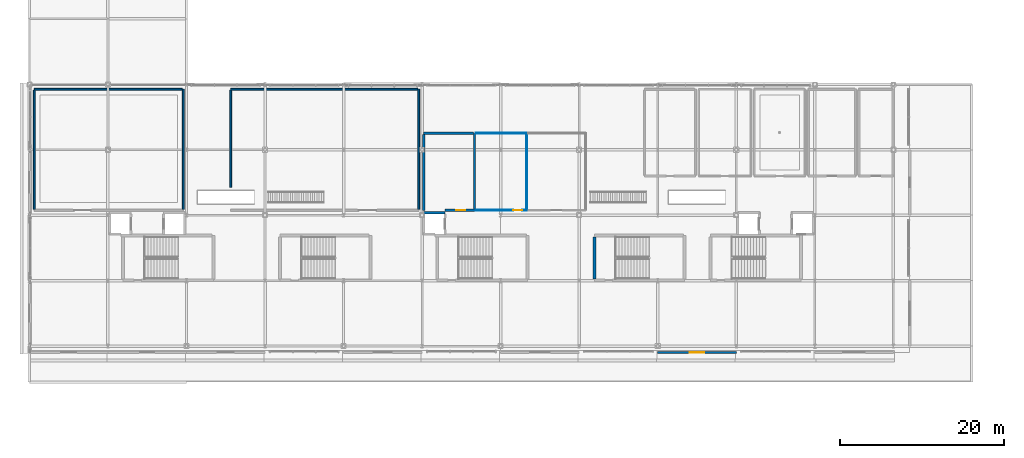
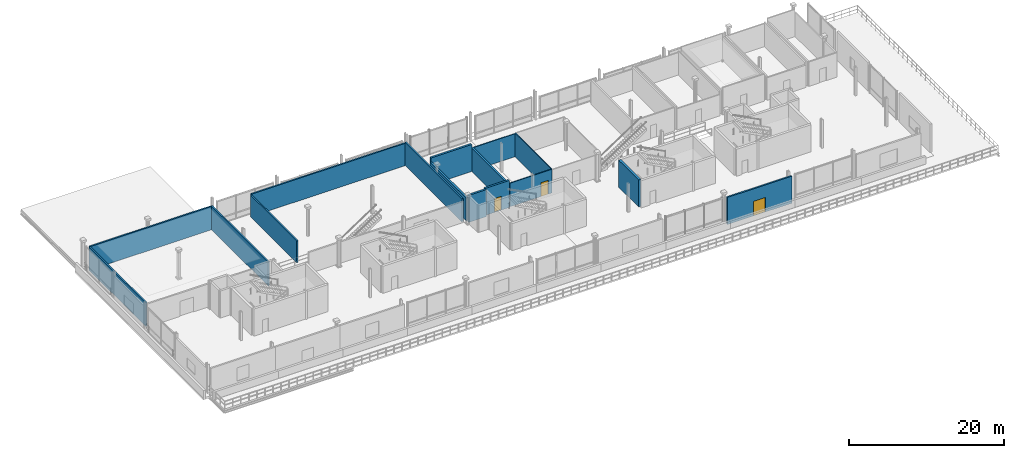
# One storey, part 24 of 36: 16 walls, 3 doors, 3 openings.
"""IFC4 building model written with IfcOpenShell, lengths in metres."""

import ifcopenshell
import ifcopenshell.guid

model = None  # the IFC model being written
_history = None  # IfcOwnerHistory: only IFC2X3 demands one
_inside = {}  # id of a spatial element -> (the spatial element, [elements in it])
_under = {}  # id of a project, library or spatial element -> (it, [spatial elements below it])
_declared = {}  # id of a project -> (the project, [libraries it declares])
_typed = {}  # id of a type object -> (the type object, [elements of that type])
_made_of = {}  # id of a material, layer set ... -> (it, [elements and type objects made of it])


def new_model(schema):
    """Start an empty IFC model of exactly this schema.

    Asked for "IFC4X3", IfcOpenShell would pick the latest addendum, in which some entities
    have other attributes; the version numbers below select the first issue.
    IFC2X3 requires an IfcOwnerHistory on every rooted entity: one is made here for all.
    """
    global model, _history
    if schema == "IFC4X3":
        model = ifcopenshell.file(schema_version=(4, 3, 0, 0))
    else:
        model = ifcopenshell.file(schema=schema)
    _inside.clear()
    _under.clear()
    _declared.clear()
    _typed.clear()
    _made_of.clear()
    _history = None
    if model.schema == "IFC2X3":
        org = make("IfcOrganization", Name="unknown")
        user = make(
            "IfcPersonAndOrganization",
            ThePerson=make("IfcPerson", FamilyName="unknown"),
            TheOrganization=org,
        )
        app = make(
            "IfcApplication",
            ApplicationDeveloper=org,
            Version="unknown",
            ApplicationFullName="unknown",
            ApplicationIdentifier="unknown",
        )
        _history = make(
            "IfcOwnerHistory",
            OwningUser=user,
            OwningApplication=app,
            ChangeAction="ADDED",
            CreationDate=0,
        )
    return model


def make(cls, **values):
    """One entity of the class cls with the attributes given. An attribute that is None is left unset."""
    return model.create_entity(
        cls, **{name: value for name, value in values.items() if value is not None}
    )


def rooted(cls, **values):
    """An entity with a GlobalId (a new one), such as an element, a storey or a relation."""
    return make(cls, GlobalId=ifcopenshell.guid.new(), OwnerHistory=_history, **values)


def si_unit(unit_type, name, prefix=None):
    """IfcSIUnit, for example si_unit("LENGTHUNIT", "METRE", prefix="MILLI")."""
    return make("IfcSIUnit", UnitType=unit_type, Prefix=prefix, Name=name)


def assignment(units):
    """IfcUnitAssignment: the units of a project."""
    return None if units is None else make("IfcUnitAssignment", Units=units)


def point(xyz):
    """IfcCartesianPoint."""
    return None if xyz is None else make("IfcCartesianPoint", Coordinates=xyz)


def direction(xyz):
    """IfcDirection."""
    return None if xyz is None else make("IfcDirection", DirectionRatios=xyz)


def frame(location, z_axis=None, x_axis=None):
    """IfcAxis2Placement3D, a coordinate frame: its origin and axes. An axis left out is left unset."""
    return make(
        "IfcAxis2Placement3D",
        Location=point(location),
        Axis=direction(z_axis),
        RefDirection=direction(x_axis),
    )


def frame_2d(location, x_axis=None):
    """IfcAxis2Placement2D, a coordinate frame in the plane: its origin and x axis."""
    return make(
        "IfcAxis2Placement2D", Location=point(location), RefDirection=direction(x_axis)
    )


def origin():
    """The frame at (0, 0, 0) with its axes left unset."""
    return frame((0.0, 0.0, 0.0))


def place(relative_to, where):
    """IfcLocalPlacement: puts the frame where relative to a parent placement (None: the world)."""
    return make(
        "IfcLocalPlacement", PlacementRelTo=relative_to, RelativePlacement=where
    )


def context(
    kind, dimensions, precision=None, world=None, true_north=None, identifier=None
):
    """IfcGeometricRepresentationContext, for example the 3D "Model" context."""
    return make(
        "IfcGeometricRepresentationContext",
        ContextIdentifier=identifier,
        ContextType=kind,
        CoordinateSpaceDimension=dimensions,
        Precision=precision,
        WorldCoordinateSystem=world,
        TrueNorth=true_north,
    )


def subcontext(parent, identifier, kind, view, scale=None):
    """IfcGeometricRepresentationSubContext, for example "Body" below "Model"."""
    return make(
        "IfcGeometricRepresentationSubContext",
        ContextIdentifier=identifier,
        ContextType=kind,
        ParentContext=parent,
        TargetScale=scale,
        TargetView=view,
    )


def project(units=None, contexts=None):
    """IfcProject with its units and contexts."""
    return rooted(
        "IfcProject",
        Name="project",
        RepresentationContexts=contexts,
        UnitsInContext=assignment(units),
    )


def spatial(cls, under=None, at=None, **own):
    """A site, building, storey or space (cls), placed at a placement, below another one or the project."""
    s = rooted(cls, ObjectPlacement=at, **own)
    if under is not None:
        _under.setdefault(under.id(), (under, []))[1].append(s)
    return s


def profile(cls, at=None, kind="AREA", **sizes):
    """A parametric profile (cls). Its sizes go by their IFC names, for example OverallWidth=200.0."""
    return make(cls, ProfileType=kind, Position=at, **sizes)


def rectangle(**sizes):
    """IfcRectangleProfileDef."""
    return profile("IfcRectangleProfileDef", **sizes)


def extrude(swept, where, along, depth):
    """IfcExtrudedAreaSolid: the profile swept, set in the frame where, extruded along a direction by depth."""
    return make(
        "IfcExtrudedAreaSolid",
        SweptArea=swept,
        Position=where,
        ExtrudedDirection=direction(along),
        Depth=depth,
    )


def shape(context_of_items, identifier, shape_type, items):
    """IfcShapeRepresentation: the items that make up one representation, for example the "Body"."""
    return make(
        "IfcShapeRepresentation",
        ContextOfItems=context_of_items,
        RepresentationIdentifier=identifier,
        RepresentationType=shape_type,
        Items=items,
    )


def material(Name=None, Category=None):
    """IfcMaterial."""
    return make("IfcMaterial", Name=Name, Category=Category)


def layer(
    of_material, thickness, ventilated=None, Name=None, Category=None, Priority=None
):
    """IfcMaterialLayer: one layer of a wall or slab, of a material (None: an air gap)."""
    return make(
        "IfcMaterialLayer",
        Material=of_material,
        LayerThickness=thickness,
        IsVentilated=ventilated,
        Name=Name,
        Category=Category,
        Priority=Priority,
    )


def layer_set(layers, Name=None):
    """IfcMaterialLayerSet."""
    return make("IfcMaterialLayerSet", MaterialLayers=layers, LayerSetName=Name)


def made_of(thing, what):
    """Note that an element or type object is made of a material, layer set ...; save() writes the relation."""
    if what is not None:
        _made_of.setdefault(what.id(), (what, []))[1].append(thing)
    return thing


def type_object(cls, material=None, **own):
    """A type object (cls), such as IfcWallType, which elements share."""
    return made_of(rooted(cls, **own), material)


def element(
    cls,
    number,
    at=None,
    inside=None,
    cuts=None,
    type_object=None,
    material=None,
    context=None,
    identifier="Body",
    shape_type=None,
    held_by="IfcProductDefinitionShape",
    body=None,
    shapes=None,
    **own,
):
    """One element of the class cls, such as IfcWall. Its Tag is "e" and its number.

    at: its placement. inside: the storey or other place that contains it. cuts: it is an
    opening in that element (IfcRelVoidsElement). A single representation is given by context,
    identifier, shape_type and body (its items); several are given by shapes. held_by: the class
    of the entity that holds the representations. save() writes the other relations.
    """
    e = rooted(cls, Tag="e%d" % number, ObjectPlacement=at, **own)
    if body is not None:
        shapes = [shape(context, identifier, shape_type, body)]
    if shapes is not None:
        e.Representation = make(held_by, Representations=shapes)
    if inside is not None:
        _inside.setdefault(inside.id(), (inside, []))[1].append(e)
    if cuts is not None:
        rooted(
            "IfcRelVoidsElement", RelatingBuildingElement=cuts, RelatedOpeningElement=e
        )
    if type_object is not None:
        _typed.setdefault(type_object.id(), (type_object, []))[1].append(e)
    return made_of(e, material)


def fill(opening, filler):
    """IfcRelFillsElement: the door or window that sits in an opening."""
    return rooted(
        "IfcRelFillsElement",
        RelatingOpeningElement=opening,
        RelatedBuildingElement=filler,
    )


def aggregate(whole, parts):
    """IfcRelAggregates: a whole, such as a stair, and the parts it consists of."""
    return rooted("IfcRelAggregates", RelatingObject=whole, RelatedObjects=parts)


def save(model, path):
    """Write the relations noted so far, then the file.

    IfcRelAggregates (storeys below a building ...), IfcRelContainedInSpatialStructure (elements
    in a storey), IfcRelDefinesByType, IfcRelAssociatesMaterial and IfcRelDeclares: one each for
    every whole, place, type object, material and project.
    """
    for whole, parts in _under.values():
        aggregate(whole, parts)
    for where, things in _inside.values():
        rooted(
            "IfcRelContainedInSpatialStructure",
            RelatedElements=things,
            RelatingStructure=where,
        )
    for kind, things in _typed.values():
        rooted("IfcRelDefinesByType", RelatedObjects=things, RelatingType=kind)
    for what, things in _made_of.values():
        rooted("IfcRelAssociatesMaterial", RelatedObjects=things, RelatingMaterial=what)
    for by, libraries in _declared.values():
        rooted("IfcRelDeclares", RelatingContext=by, RelatedDefinitions=libraries)
    model.write(path)


model = new_model("IFC4")

# Units and contexts
model_context = context("Model", 3, precision=1e-05, world=origin(), true_north=direction((0.0, 1.0)))
body_context = subcontext(model_context, "Body", "Model", "MODEL_VIEW")
ifc_project = project(units=[si_unit("LENGTHUNIT", "METRE"), si_unit("AREAUNIT", "SQUARE_METRE"), si_unit("VOLUMEUNIT", "CUBIC_METRE"), si_unit("PLANEANGLEUNIT", "RADIAN"), si_unit("MASSUNIT", "GRAM", prefix="KILO")], contexts=[model_context])

# Site, building, storey
site_placement = place(None, origin())
site = spatial("IfcSite", under=ifc_project, at=site_placement, CompositionType="ELEMENT")
building_placement = place(site_placement, origin())
building = spatial("IfcBuilding", under=site, at=building_placement, Name="Danafjord Basin Convention Centre", CompositionType="ELEMENT")
storey_placement = place(building_placement, frame((0.0, 0.0, 20.39990234375)))
storey = spatial("IfcBuildingStorey", under=building, at=storey_placement, Name="L04", CompositionType="ELEMENT", Elevation=20.39990234375)

# Walls
ifc_material_1 = material(Name="Concrete C40/50", Category="concrete")
ifc_layer_1 = layer(ifc_material_1, 0.300048828125)
ifc_layer_set_1 = layer_set([ifc_layer_1], Name="Concrete C40/50")
wall_type_1 = type_object("IfcWallType", Name="WALL-CW-CORE300", PredefinedType="SHEAR", material=ifc_layer_set_1)
wall_1_placement = place(storey_placement, frame((50.800048828125, 24.300048828125, 0.0), z_axis=(0.0, 0.0, 1.0), x_axis=(-1.0, 0.0, 0.0)))
element("IfcWall", 1, at=wall_1_placement, inside=storey, type_object=wall_type_1, Name="Lift LF-P03 shaft shear wall", PredefinedType="SHEAR", context=body_context, shape_type="SweptSolid", body=[
    extrude(rectangle(XDim=2.60009765625, YDim=0.300048828125, at=frame_2d((1.300048828125, 0.0))), origin(), (0.0, 0.0, 1.0), 4.25),
])
ifc_material_2 = material(Name="Concrete C45/55", Category="concrete")
ifc_layer_2 = layer(ifc_material_2, 0.35009765625)
ifc_layer_set_2 = layer_set([ifc_layer_2], Name="Concrete C45/55")
wall_type_2 = type_object("IfcWallType", Name="WALL-CW-CORE350", PredefinedType="SHEAR", material=ifc_layer_set_2)
wall_2_placement = place(storey_placement, frame((69.050048828125, 21.35009765625, 0.0), z_axis=(0.0, 0.0, 1.0), x_axis=(0.0, -1.0, 0.0)))
element("IfcWall", 2, at=wall_2_placement, inside=storey, type_object=wall_type_2, Name="Mid-Arc Escape Stair 2 core shear wall (west)", PredefinedType="SHEAR", context=body_context, shape_type="SweptSolid", body=[
    extrude(rectangle(XDim=5.14013671875, YDim=0.35009765625, at=frame_2d((2.570068359375, 0.0))), origin(), (0.0, 0.0, 1.0), 4.25),
])

# Wall, opening, door
ifc_material_3 = material(Name="Concrete C35/45", Category="concrete")
ifc_layer_3 = layer(ifc_material_3, 0.22998046875)
ifc_layer_set_3 = layer_set([ifc_layer_3], Name="Concrete C35/45")
wall_type_3 = type_object("IfcWallType", Name="WALL-EW-STD230", PredefinedType="STANDARD", material=ifc_layer_set_3)
wall_3_placement = place(storey_placement, frame((76.800048828125, 7.199951171875, 0.0), z_axis=(0.0, 0.0, 1.0), x_axis=(1.0, 0.0, 0.0)))
wall_3 = element("IfcWall", 3, at=wall_3_placement, inside=storey, type_object=wall_type_3, Name="L04 harbourfront precast facade bay 9", PredefinedType="STANDARD", context=body_context, shape_type="SweptSolid", body=[
    extrude(rectangle(XDim=9.599853515625, YDim=0.22998046875, at=frame_2d((4.7998046875, 0.0))), origin(), (0.0, 0.0, 1.0), 4.260009765625),
])
opening_1_placement = place(wall_3_placement, frame((3.919921875, 0.0, 0.0)))
opening_1 = element("IfcOpeningElement", 4, at=opening_1_placement, cuts=wall_3, Name="Opening ED-04", PredefinedType="OPENING", context=body_context, shape_type="SweptSolid", body=[
    extrude(rectangle(XDim=1.760009765625, YDim=2.280029296875, at=frame_2d((0.8798828125, 1.14013671875))), frame((0.0, 0.125, 0.0), z_axis=(0.0, -1.0, 0.0), x_axis=(1.0, 0.0, 0.0)), (0.0, 0.0, 1.0), 0.25),
])
ifc_material_4 = material(Name="Thermally broken anodised aluminium and steel", Category="steel")
door_type_1 = type_object("IfcDoorType", Name="DOOR-ED-04", OperationType="DOUBLE_DOOR_SINGLE_SWING", PredefinedType="DOOR", material=ifc_material_4)
door_1_placement = place(opening_1_placement, origin())
door_1 = element("IfcDoor", 5, at=door_1_placement, inside=storey, type_object=door_type_1, Name="L04 Harbour Terrace Access Door", OperationType="DOUBLE_DOOR_SINGLE_SWING", OverallHeight=2.280029296875, OverallWidth=1.760009765625, PredefinedType="DOOR", context=body_context, shape_type="SweptSolid", body=[
    extrude(rectangle(XDim=1.760009765625, YDim=2.280029296875, at=frame_2d((0.8798828125, 1.14013671875))), frame((0.0, 0.02490234375, 0.0), z_axis=(0.0, -1.0, 0.0), x_axis=(1.0, 0.0, 0.0)), (0.0, 0.0, 1.0), 0.050048828125),
])
fill(opening_1, door_1)

# Walls
ifc_material_5 = material(Name="Acoustic twin-stud gypsum and mineral wool")
ifc_layer_4 = layer(ifc_material_5, 0.219970703125)
ifc_layer_set_4 = layer_set([ifc_layer_4], Name="Acoustic twin-stud gypsum and mineral wool")
wall_type_4 = type_object("IfcWallType", Name="WALL-PT-AC220", PredefinedType="PARTITIONING", material=ifc_layer_set_4)
wall_4_placement = place(storey_placement, frame((18.800048828125, 24.714111328125, 0.0), z_axis=(0.0, 0.0, 1.0), x_axis=(0.0, 1.0, 0.0)))
element("IfcWall", 6, at=wall_4_placement, inside=storey, type_object=wall_type_4, Name="Bilateral Conference Suite S401 east partition", PredefinedType="PARTITIONING", context=body_context, shape_type="SweptSolid", body=[
    extrude(rectangle(XDim=14.685791015625, YDim=0.219970703125, at=frame_2d((7.3427734375, 0.0))), origin(), (0.0, 0.0, 1.0), 3.72021484375),
])
wall_5_placement = place(storey_placement, frame((18.68603515625, 39.39990234375, 0.0), z_axis=(0.0, 0.0, 1.0), x_axis=(-1.0, 0.0, 0.0)))
element("IfcWall", 7, at=wall_5_placement, inside=storey, type_object=wall_type_4, Name="Bilateral Conference Suite S401 north partition", PredefinedType="PARTITIONING", context=body_context, shape_type="SweptSolid", body=[
    extrude(rectangle(XDim=18.0859375, YDim=0.219970703125, at=frame_2d((9.04296875, 0.0))), origin(), (0.0, 0.0, 1.0), 3.670166015625),
])
wall_6_placement = place(storey_placement, frame((0.60009765625, 39.285888671875, 0.0), z_axis=(0.0, 0.0, 1.0), x_axis=(0.0, -1.0, 0.0)))
element("IfcWall", 8, at=wall_6_placement, inside=storey, type_object=wall_type_4, Name="Bilateral Conference Suite S401 west partition", PredefinedType="PARTITIONING", context=body_context, shape_type="SweptSolid", body=[
    extrude(rectangle(XDim=14.57177734375, YDim=0.219970703125, at=frame_2d((7.285888671875, 0.0))), origin(), (0.0, 0.0, 1.0), 3.68017578125),
])
wall_7_placement = place(storey_placement, frame((47.60009765625, 24.714111328125, 0.0), z_axis=(0.0, 0.0, 1.0), x_axis=(0.0, 1.0, 0.0)))
element("IfcWall", 9, at=wall_7_placement, inside=storey, type_object=wall_type_4, Name="Nordic Council Conference Room C401 east partition", PredefinedType="PARTITIONING", context=body_context, shape_type="SweptSolid", body=[
    extrude(rectangle(XDim=14.685791015625, YDim=0.219970703125, at=frame_2d((7.3427734375, 0.0))), origin(), (0.0, 0.0, 1.0), 3.6201171875),
])
wall_8_placement = place(storey_placement, frame((47.486083984375, 39.39990234375, 0.0), z_axis=(0.0, 0.0, 1.0), x_axis=(-1.0, 0.0, 0.0)))
element("IfcWall", 10, at=wall_8_placement, inside=storey, type_object=wall_type_4, Name="Nordic Council Conference Room C401 north partition", PredefinedType="PARTITIONING", context=body_context, shape_type="SweptSolid", body=[
    extrude(rectangle(XDim=22.885986328125, YDim=0.219970703125, at=frame_2d((11.44287109375, 0.0))), origin(), (0.0, 0.0, 1.0), 3.52001953125),
])
wall_9_placement = place(storey_placement, frame((24.60009765625, 39.285888671875, 0.0), z_axis=(0.0, 0.0, 1.0), x_axis=(0.0, -1.0, 0.0)))
element("IfcWall", 11, at=wall_9_placement, inside=storey, type_object=wall_type_4, Name="Nordic Council Conference Room C401 west partition", PredefinedType="PARTITIONING", context=body_context, shape_type="SweptSolid", body=[
    extrude(rectangle(XDim=11.885986328125, YDim=0.219970703125, at=frame_2d((5.94287109375, 0.0))), origin(), (0.0, 0.0, 1.0), 3.420166015625),
])

# Wall, opening, door
ifc_material_6 = material(Name="Sanitary service-chase stud wall")
ifc_layer_5 = layer(ifc_material_6, 0.284912109375)
ifc_layer_set_5 = layer_set([ifc_layer_5], Name="Sanitary service-chase stud wall")
wall_type_5 = type_object("IfcWallType", Name="WALL-PT-PLB285", PredefinedType="PLUMBINGWALL", material=ifc_layer_set_5)
wall_10_placement = place(storey_placement, frame((50.80810546875, 24.60009765625, 0.0), z_axis=(0.0, 0.0, 1.0), x_axis=(1.0, 0.0, 0.0)))
wall_10 = element("IfcWall", 12, at=wall_10_placement, inside=storey, type_object=wall_type_5, Name="Level 4 Diplomatic Male Toilet south partition", PredefinedType="PLUMBINGWALL", context=body_context, shape_type="SweptSolid", body=[
    extrude(rectangle(XDim=3.591796875, YDim=0.284912109375, at=frame_2d((1.7958984375, 0.0))), origin(), (0.0, 0.0, 1.0), 4.25),
])
opening_2_placement = place(wall_10_placement, frame((1.39306640625, 0.0, 0.0)))
opening_2 = element("IfcOpeningElement", 13, at=opening_2_placement, cuts=wall_10, Name="Opening FD-S06", PredefinedType="OPENING", context=body_context, shape_type="SweptSolid", body=[
    extrude(rectangle(XDim=1.06005859375, YDim=2.159912109375, at=frame_2d((0.530029296875, 1.080078125))), frame((0.0, 0.15234375, 0.0), z_axis=(0.0, -1.0, 0.0), x_axis=(1.0, 0.0, 0.0)), (0.0, 0.0, 1.0), 0.304931640625),
])
ifc_material_7 = material(Name="Powder-coated steel and Nordic oak", Category="steel")
door_type_2 = type_object("IfcDoorType", Name="DOOR-FD-S06", OperationType="NOTDEFINED", PredefinedType="DOOR", material=ifc_material_7)
door_2_placement = place(opening_2_placement, origin())
door_2 = element("IfcDoor", 14, at=door_2_placement, inside=storey, type_object=door_type_2, Name="Level 4 Diplomatic Male Toilet Entrance Door", OperationType="SINGLE_SWING_LEFT", OverallHeight=2.159912109375, OverallWidth=1.06005859375, PredefinedType="DOOR", context=body_context, shape_type="SweptSolid", body=[
    extrude(rectangle(XDim=1.06005859375, YDim=2.159912109375, at=frame_2d((0.530029296875, 1.080078125))), frame((0.0, 0.02490234375, 0.0), z_axis=(0.0, -1.0, 0.0), x_axis=(1.0, 0.0, 0.0)), (0.0, 0.0, 1.0), 0.050048828125),
])
fill(opening_2, door_2)

# Walls
wall_11_placement = place(storey_placement, frame((54.39990234375, 24.74658203125, 0.0), z_axis=(0.0, 0.0, 1.0), x_axis=(0.0, 1.0, 0.0)))
element("IfcWall", 15, at=wall_11_placement, inside=storey, type_object=wall_type_5, Name="Level 4 Diplomatic Male Toilet east partition", PredefinedType="PLUMBINGWALL", context=body_context, shape_type="SweptSolid", body=[
    extrude(rectangle(XDim=9.25341796875, YDim=0.284912109375, at=frame_2d((4.626708984375, 0.0))), origin(), (0.0, 0.0, 1.0), 3.670166015625),
])
wall_12_placement = place(storey_placement, frame((54.25341796875, 34.0, 0.0), z_axis=(0.0, 0.0, 1.0), x_axis=(-1.0, 0.0, 0.0)))
element("IfcWall", 16, at=wall_12_placement, inside=storey, type_object=wall_type_5, Name="Level 4 Diplomatic Male Toilet north partition", PredefinedType="PLUMBINGWALL", context=body_context, shape_type="SweptSolid", body=[
    extrude(rectangle(XDim=6.053466796875, YDim=0.284912109375, at=frame_2d((3.02685546875, 0.0))), origin(), (0.0, 0.0, 1.0), 4.25),
])
wall_13_placement = place(storey_placement, frame((48.199951171875, 33.853515625, 0.0), z_axis=(0.0, 0.0, 1.0), x_axis=(0.0, -1.0, 0.0)))
element("IfcWall", 17, at=wall_13_placement, inside=storey, type_object=wall_type_5, Name="Level 4 Diplomatic Male Toilet west partition", PredefinedType="PLUMBINGWALL", context=body_context, shape_type="SweptSolid", body=[
    extrude(rectangle(XDim=9.25341796875, YDim=0.284912109375, at=frame_2d((4.626708984375, 0.0))), origin(), (0.0, 0.0, 1.0), 3.6201171875),
])

# Wall, opening, door
ifc_material_8 = material(Name="Moisture-resistant gypsum stud partition")
ifc_layer_6 = layer(ifc_material_8, 0.1201171875)
ifc_layer_set_6 = layer_set([ifc_layer_6], Name="Moisture-resistant gypsum stud partition")
wall_type_6 = type_object("IfcWallType", Name="WALL-PT-ST120", PredefinedType="PARTITIONING", material=ifc_layer_set_6)
wall_14_placement = place(storey_placement, frame((54.54638671875, 24.60009765625, 0.0), z_axis=(0.0, 0.0, 1.0), x_axis=(1.0, 0.0, 0.0)))
wall_14 = element("IfcWall", 18, at=wall_14_placement, inside=storey, type_object=wall_type_6, Name="Level 4 Diplomatic Female Toilet south partition", PredefinedType="PARTITIONING", context=body_context, shape_type="SweptSolid", body=[
    extrude(rectangle(XDim=6.253662109375, YDim=0.1201171875, at=frame_2d((3.126953125, 0.0))), origin(), (0.0, 0.0, 1.0), 3.72021484375),
])
opening_3_placement = place(wall_14_placement, frame((4.613037109375, 0.0, 0.0)))
opening_3 = element("IfcOpeningElement", 19, at=opening_3_placement, cuts=wall_14, Name="Opening FD-S07", PredefinedType="OPENING", context=body_context, shape_type="SweptSolid", body=[
    extrude(rectangle(XDim=1.090087890625, YDim=2.179931640625, at=frame_2d((0.544921875, 1.08984375))), frame((0.0, 0.070068359375, 0.0), z_axis=(0.0, -1.0, 0.0), x_axis=(1.0, 0.0, 0.0)), (0.0, 0.0, 1.0), 0.14013671875),
])
door_type_3 = type_object("IfcDoorType", Name="DOOR-FD-S07", OperationType="NOTDEFINED", PredefinedType="DOOR", material=ifc_material_7)
door_3_placement = place(opening_3_placement, origin())
door_3 = element("IfcDoor", 20, at=door_3_placement, inside=storey, type_object=door_type_3, Name="Level 4 Diplomatic Female Toilet Entrance Door", OperationType="SINGLE_SWING_RIGHT", OverallHeight=2.179931640625, OverallWidth=1.090087890625, PredefinedType="DOOR", context=body_context, shape_type="SweptSolid", body=[
    extrude(rectangle(XDim=1.090087890625, YDim=2.179931640625, at=frame_2d((0.544921875, 1.08984375))), frame((0.0, 0.02490234375, 0.0), z_axis=(0.0, -1.0, 0.0), x_axis=(1.0, 0.0, 0.0)), (0.0, 0.0, 1.0), 0.050048828125),
])
fill(opening_3, door_3)

# Walls
wall_15_placement = place(storey_placement, frame((60.800048828125, 24.6640625, 0.0), z_axis=(0.0, 0.0, 1.0), x_axis=(0.0, 1.0, 0.0)))
element("IfcWall", 21, at=wall_15_placement, inside=storey, type_object=wall_type_6, Name="Level 4 Diplomatic Female Toilet east partition", PredefinedType="PARTITIONING", context=body_context, shape_type="SweptSolid", body=[
    extrude(rectangle(XDim=9.3359375, YDim=0.1201171875, at=frame_2d((4.66796875, 0.0))), origin(), (0.0, 0.0, 1.0), 3.72021484375),
])
wall_16_placement = place(storey_placement, frame((60.736083984375, 34.0, 0.0), z_axis=(0.0, 0.0, 1.0), x_axis=(-1.0, 0.0, 0.0)))
element("IfcWall", 22, at=wall_16_placement, inside=storey, type_object=wall_type_6, Name="Level 4 Diplomatic Female Toilet north partition", PredefinedType="PARTITIONING", context=body_context, shape_type="SweptSolid", body=[
    extrude(rectangle(XDim=6.189697265625, YDim=0.1201171875, at=frame_2d((3.0947265625, 0.0))), origin(), (0.0, 0.0, 1.0), 3.6201171875),
])

save(model, "model.ifc")
